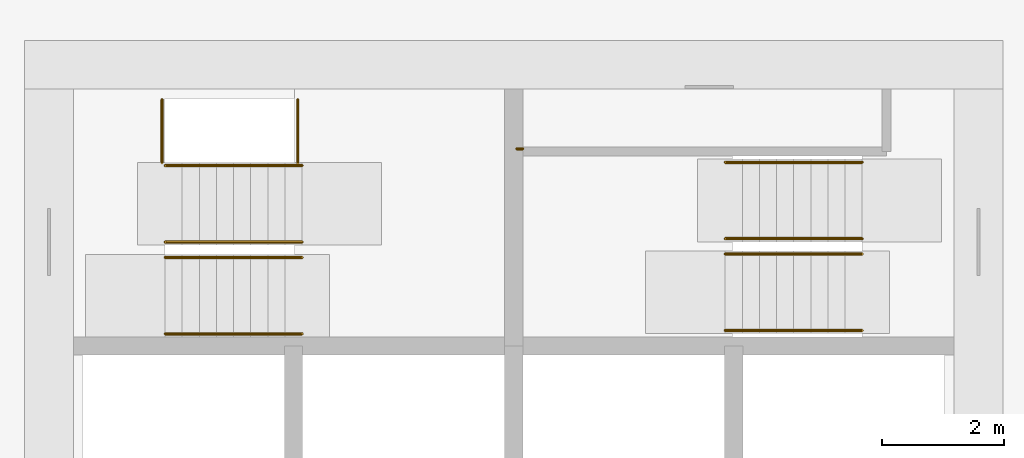
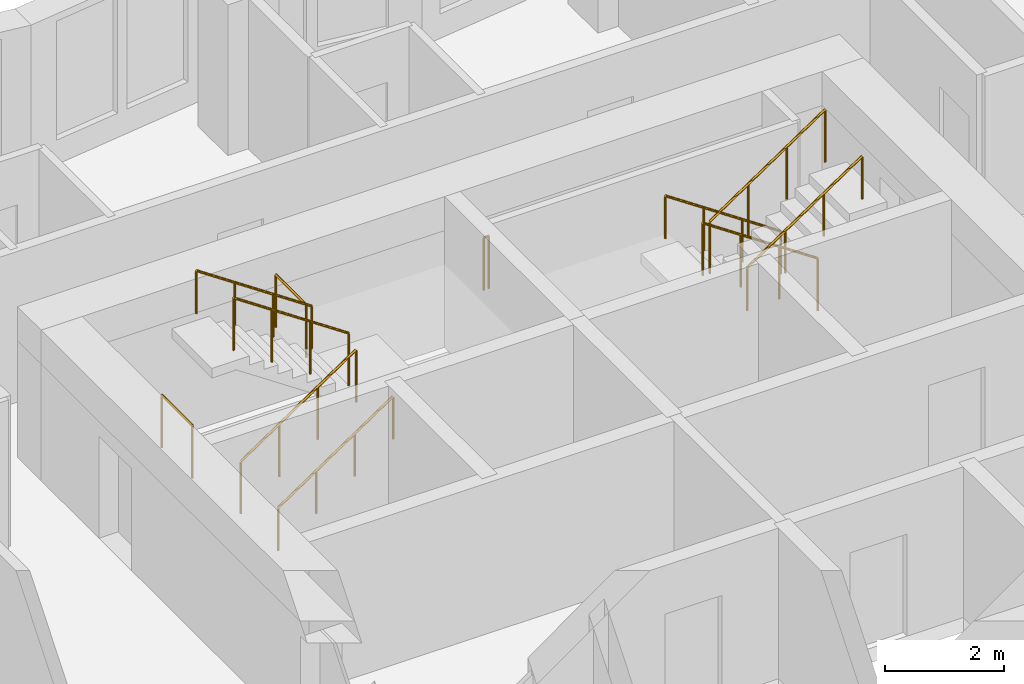
# One storey, part 12 of 13: 11 railings.
"""IFC4 building model written with IfcOpenShell, lengths in metres."""

from ifc_helpers import new_model, si_unit, direction, frame, origin, origin_2d, place, context, subcontext, project, spatial, circle, extrude, material, type_object, element, save


model = new_model("IFC4")

# Units and contexts
model_context = context("Model", 3, precision=1e-05, world=origin(), true_north=direction((0.0, 1.0)))
body_context = subcontext(model_context, "Body", "Model", "MODEL_VIEW")
ifc_project = project(units=[si_unit("LENGTHUNIT", "METRE"), si_unit("AREAUNIT", "SQUARE_METRE"), si_unit("VOLUMEUNIT", "CUBIC_METRE"), si_unit("PLANEANGLEUNIT", "RADIAN"), si_unit("MASSUNIT", "GRAM", prefix="KILO")], contexts=[model_context])

# Site, building, storey
site_placement = place(None, origin())
site = spatial("IfcSite", under=ifc_project, at=site_placement, CompositionType="ELEMENT")
building_placement = place(site_placement, origin())
building = spatial("IfcBuilding", under=site, at=building_placement, Name="Windrow Commons", CompositionType="ELEMENT")
storey_placement = place(building_placement, frame((0.0, 0.0, 105.0)))
storey = spatial("IfcBuildingStorey", under=building, at=storey_placement, Name="L28", CompositionType="ELEMENT", Elevation=105.0)

# Railings
ifc_material_1 = material(Name="Steel S355", Category="steel")
railing_type_1 = type_object("IfcRailingType", Name="Core stair guard 1100", PredefinedType="GUARDRAIL", material=ifc_material_1)
railing_1_placement = place(storey_placement, frame((59.1, 62.05, 0.1889)))
element("IfcRailing", 1, at=railing_1_placement, inside=storey, type_object=railing_type_1, Name="L28 ST-A1 stair guard 1", PredefinedType="GUARDRAIL", context=body_context, shape_type="SweptSolid", body=[
    extrude(circle(Radius=0.024, at=origin_2d()), frame((0.0, 0.0, 1.076), z_axis=(0.8290030985, 0.0, 0.5592440099), x_axis=(0.0, 1.0, 0.0)), (0.0, 0.0, 1.0), 2.702),
    extrude(circle(Radius=0.021, at=origin_2d()), origin(), (0.0, 0.0, 1.0), 1.052),
    extrude(circle(Radius=0.021, at=origin_2d()), frame((0.7467, 0.0, 0.5037)), (0.0, 0.0, 1.0), 1.052),
    extrude(circle(Radius=0.021, at=origin_2d()), frame((1.4933, 0.0, 1.0074)), (0.0, 0.0, 1.0), 1.052),
    extrude(circle(Radius=0.021, at=origin_2d()), frame((2.24, 0.0, 1.5111)), (0.0, 0.0, 1.0), 1.052),
])
railing_2_placement = place(storey_placement, frame((61.34, 62.3, 1.8889)))
element("IfcRailing", 2, at=railing_2_placement, inside=storey, type_object=railing_type_1, Name="L28 ST-A1 stair guard 2", PredefinedType="GUARDRAIL", context=body_context, shape_type="SweptSolid", body=[
    extrude(circle(Radius=0.024, at=origin_2d()), frame((0.0, 0.0, 1.076), z_axis=(-0.8290030985, 0.0, 0.5592440099), x_axis=(0.0, -1.0, 0.0)), (0.0, 0.0, 1.0), 2.702),
    extrude(circle(Radius=0.021, at=origin_2d()), origin(), (0.0, 0.0, 1.0), 1.052),
    extrude(circle(Radius=0.021, at=origin_2d()), frame((-0.7467, 0.0, 0.5037)), (0.0, 0.0, 1.0), 1.052),
    extrude(circle(Radius=0.021, at=origin_2d()), frame((-1.4933, 0.0, 1.0074)), (0.0, 0.0, 1.0), 1.052),
    extrude(circle(Radius=0.021, at=origin_2d()), frame((-2.24, 0.0, 1.5111)), (0.0, 0.0, 1.0), 1.052),
])
for number, where, name in (
    (3, (59.05, 63.6, 0.0), "L28 ST-A1 stair guard 3"),
    (4, (61.27, 63.6, 1.7), "L28 ST-A1 stair guard 4"),
):
    element("IfcRailing", number, at=place(storey_placement, frame(where)), inside=storey, type_object=railing_type_1, Name=name, PredefinedType="GUARDRAIL", context=body_context, shape_type="SweptSolid", body=[
        extrude(circle(Radius=0.024, at=origin_2d()), frame((0.0, 0.0, 1.076), z_axis=(0.0, 1.0, 0.0), x_axis=(-1.0, 0.0, 0.0)), (0.0, 0.0, 1.0), 1.03),
        extrude(circle(Radius=0.021, at=origin_2d()), origin(), (0.0, 0.0, 1.0), 1.052),
        extrude(circle(Radius=0.021, at=origin_2d()), frame((0.0, 1.03, 0.0)), (0.0, 0.0, 1.0), 1.052),
    ])
railing_3_placement = place(storey_placement, frame((70.5, 62.355, 0.1889)))
element("IfcRailing", 5, at=railing_3_placement, inside=storey, type_object=railing_type_1, Name="L28 ST-A2 stair guard 1", PredefinedType="GUARDRAIL", context=body_context, shape_type="SweptSolid", body=[
    extrude(circle(Radius=0.024, at=origin_2d()), frame((0.0, 0.0, 1.076), z_axis=(-0.8290030985, 0.0, 0.5592440099), x_axis=(0.0, -1.0, 0.0)), (0.0, 0.0, 1.0), 2.702),
    extrude(circle(Radius=0.021, at=origin_2d()), origin(), (0.0, 0.0, 1.0), 1.052),
    extrude(circle(Radius=0.021, at=origin_2d()), frame((-0.7467, 0.0, 0.5037)), (0.0, 0.0, 1.0), 1.052),
    extrude(circle(Radius=0.021, at=origin_2d()), frame((-1.4933, 0.0, 1.0074)), (0.0, 0.0, 1.0), 1.052),
    extrude(circle(Radius=0.021, at=origin_2d()), frame((-2.24, 0.0, 1.5111)), (0.0, 0.0, 1.0), 1.052),
])
railing_4_placement = place(storey_placement, frame((68.26, 62.105, 1.8889)))
element("IfcRailing", 6, at=railing_4_placement, inside=storey, type_object=railing_type_1, Name="L28 ST-A2 stair guard 2", PredefinedType="GUARDRAIL", context=body_context, shape_type="SweptSolid", body=[
    extrude(circle(Radius=0.024, at=origin_2d()), frame((0.0, 0.0, 1.076), z_axis=(0.8290030985, 0.0, 0.5592440099), x_axis=(0.0, 1.0, 0.0)), (0.0, 0.0, 1.0), 2.702),
    extrude(circle(Radius=0.021, at=origin_2d()), origin(), (0.0, 0.0, 1.0), 1.052),
    extrude(circle(Radius=0.021, at=origin_2d()), frame((0.7467, 0.0, 0.5037)), (0.0, 0.0, 1.0), 1.052),
    extrude(circle(Radius=0.021, at=origin_2d()), frame((1.4933, 0.0, 1.0074)), (0.0, 0.0, 1.0), 1.052),
    extrude(circle(Radius=0.021, at=origin_2d()), frame((2.24, 0.0, 1.5111)), (0.0, 0.0, 1.0), 1.052),
])
railing_5_placement = place(storey_placement, frame((64.95, 63.825, 1.7)))
element("IfcRailing", 7, at=railing_5_placement, inside=storey, type_object=railing_type_1, Name="L28 ST-A2 stair guard 3", PredefinedType="GUARDRAIL", context=body_context, shape_type="SweptSolid", body=[
    extrude(circle(Radius=0.024, at=origin_2d()), frame((0.0, 0.0, 1.076), z_axis=(-1.0, 0.0, 0.0), x_axis=(0.0, -1.0, 0.0)), (0.0, 0.0, 1.0), 0.1),
    extrude(circle(Radius=0.021, at=origin_2d()), origin(), (0.0, 0.0, 1.0), 1.052),
    extrude(circle(Radius=0.021, at=origin_2d()), frame((-0.1, 0.0, 0.0)), (0.0, 0.0, 1.0), 1.052),
])
ifc_material_2 = material(Name="Steel S355", Category="steel")
railing_type_2 = type_object("IfcRailingType", Name="Core stair handrail 900", PredefinedType="HANDRAIL", material=ifc_material_2)
railing_6_placement = place(storey_placement, frame((59.1, 60.8, 0.1889)))
element("IfcRailing", 8, at=railing_6_placement, inside=storey, type_object=railing_type_2, Name="L28 ST-A1 stair handrail 1", PredefinedType="HANDRAIL", context=body_context, shape_type="SweptSolid", body=[
    extrude(circle(Radius=0.024, at=origin_2d()), frame((0.0, 0.0, 0.876), z_axis=(0.8290030985, 0.0, 0.5592440099), x_axis=(0.0, 1.0, 0.0)), (0.0, 0.0, 1.0), 2.702),
    extrude(circle(Radius=0.021, at=origin_2d()), origin(), (0.0, 0.0, 1.0), 0.852),
    extrude(circle(Radius=0.021, at=origin_2d()), frame((0.7467, 0.0, 0.5037)), (0.0, 0.0, 1.0), 0.852),
    extrude(circle(Radius=0.021, at=origin_2d()), frame((1.4933, 0.0, 1.0074)), (0.0, 0.0, 1.0), 0.852),
    extrude(circle(Radius=0.021, at=origin_2d()), frame((2.24, 0.0, 1.5111)), (0.0, 0.0, 1.0), 0.852),
])
for number, where, name in (
    (9, (61.34, 63.55, 1.8889), "L28 ST-A1 stair handrail 2"),
    (10, (70.5, 63.605, 0.1889), "L28 ST-A2 stair handrail 1"),
):
    element("IfcRailing", number, at=place(storey_placement, frame(where)), inside=storey, type_object=railing_type_2, Name=name, PredefinedType="HANDRAIL", context=body_context, shape_type="SweptSolid", body=[
        extrude(circle(Radius=0.024, at=origin_2d()), frame((0.0, 0.0, 0.876), z_axis=(-0.8290030985, 0.0, 0.5592440099), x_axis=(0.0, -1.0, 0.0)), (0.0, 0.0, 1.0), 2.702),
        extrude(circle(Radius=0.021, at=origin_2d()), origin(), (0.0, 0.0, 1.0), 0.852),
        extrude(circle(Radius=0.021, at=origin_2d()), frame((-0.7467, 0.0, 0.5037)), (0.0, 0.0, 1.0), 0.852),
        extrude(circle(Radius=0.021, at=origin_2d()), frame((-1.4933, 0.0, 1.0074)), (0.0, 0.0, 1.0), 0.852),
        extrude(circle(Radius=0.021, at=origin_2d()), frame((-2.24, 0.0, 1.5111)), (0.0, 0.0, 1.0), 0.852),
    ])
railing_7_placement = place(storey_placement, frame((68.26, 60.855, 1.8889)))
element("IfcRailing", 11, at=railing_7_placement, inside=storey, type_object=railing_type_2, Name="L28 ST-A2 stair handrail 2", PredefinedType="HANDRAIL", context=body_context, shape_type="SweptSolid", body=[
    extrude(circle(Radius=0.024, at=origin_2d()), frame((0.0, 0.0, 0.876), z_axis=(0.8290030985, 0.0, 0.5592440099), x_axis=(0.0, 1.0, 0.0)), (0.0, 0.0, 1.0), 2.702),
    extrude(circle(Radius=0.021, at=origin_2d()), origin(), (0.0, 0.0, 1.0), 0.852),
    extrude(circle(Radius=0.021, at=origin_2d()), frame((0.7467, 0.0, 0.5037)), (0.0, 0.0, 1.0), 0.852),
    extrude(circle(Radius=0.021, at=origin_2d()), frame((1.4933, 0.0, 1.0074)), (0.0, 0.0, 1.0), 0.852),
    extrude(circle(Radius=0.021, at=origin_2d()), frame((2.24, 0.0, 1.5111)), (0.0, 0.0, 1.0), 0.852),
])

save(model, "model.ifc")
